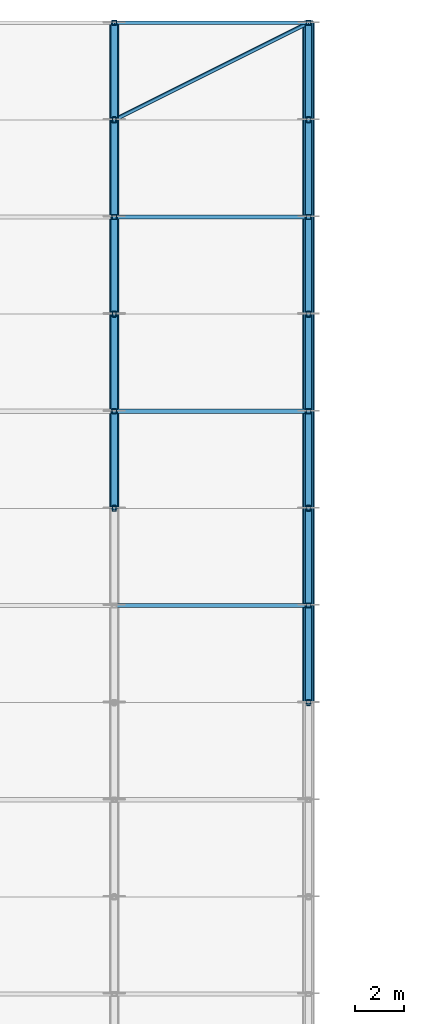
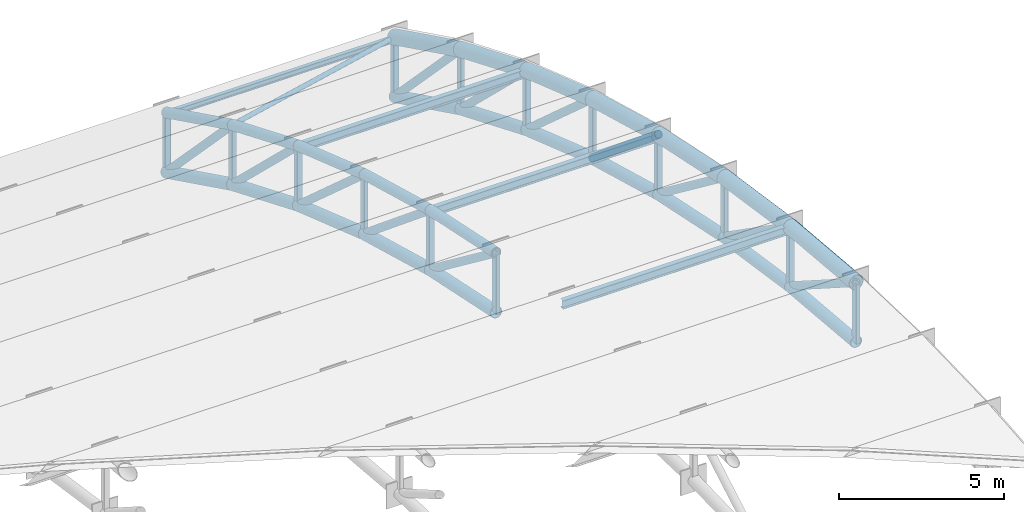
# One storey, part 55 of 98: 55 members.
"""IFC4 building model written with IfcOpenShell, lengths in metres."""

from ifc_helpers import new_model, si_unit, direction, frame, origin, origin_2d, place, context, subcontext, project, spatial, hollow_rectangle, hollow_circle, i_section, extrude, material, material_profile, profile_set, type_object, element, save


model = new_model("IFC4")

# Units and contexts
model_context = context("Model", 3, precision=1e-05, world=origin(), true_north=direction((0.0, 1.0)))
body_context = subcontext(model_context, "Body", "Model", "MODEL_VIEW")
ifc_project = project(units=[si_unit("LENGTHUNIT", "METRE"), si_unit("AREAUNIT", "SQUARE_METRE"), si_unit("VOLUMEUNIT", "CUBIC_METRE"), si_unit("PLANEANGLEUNIT", "RADIAN"), si_unit("MASSUNIT", "GRAM", prefix="KILO")], contexts=[model_context])

# Site, building, storey
site_placement = place(None, origin())
site = spatial("IfcSite", under=ifc_project, at=site_placement, CompositionType="ELEMENT")
building_placement = place(site_placement, origin())
building = spatial("IfcBuilding", under=site, at=building_placement, Name="Tlacozan Convention Centre", CompositionType="ELEMENT")
storey_placement = place(building_placement, frame((0.0, 0.0, 25.800048828125)))
storey = spatial("IfcBuildingStorey", under=building, at=storey_placement, Name="Roof", CompositionType="ELEMENT", Elevation=25.800048828125)

# Members
ifc_material_1 = material(Name="Steel ASTM A500 Grade C", Category="steel")
ifc_material_profile_1 = material_profile(ifc_material_1, hollow_circle(Radius=0.203125, WallThickness=0.015869140625, at=origin_2d()), Name="OC 406.4x15.9")
ifc_profile_set_1 = profile_set([ifc_material_profile_1], Name="Steel ASTM A500 Grade C")
member_type_1 = type_object("IfcMemberType", Name="Arch Bottom Chord OC 406.4x15.9", PredefinedType="CHORD", material=ifc_profile_set_1)
member_1_placement = place(storey_placement, frame((160.0, 106.0, -5.8671875), z_axis=(0.0, 0.978552953366, -0.205995430674), x_axis=(-1.0, 0.0, 0.0)))
element("IfcMember", 1, at=member_1_placement, inside=storey, type_object=member_type_1, Name="V2A Roof Truss 21 Bottom Chord 12", PredefinedType="CHORD", context=body_context, shape_type="SweptSolid", body=[
    extrude(hollow_circle(Radius=0.203125, WallThickness=0.015869140625, at=origin_2d()), origin(), (0.0, 0.0, 1.0), 4.087646484375),
])
member_2_placement = place(storey_placement, frame((160.0, 110.0, -6.709228515625), z_axis=(0.0, 0.964289609145, -0.26485005134), x_axis=(-1.0, 0.0, 0.0)))
element("IfcMember", 2, at=member_2_placement, inside=storey, type_object=member_type_1, Name="V2A Roof Truss 21 Bottom Chord 13", PredefinedType="CHORD", context=body_context, shape_type="SweptSolid", body=[
    extrude(hollow_circle(Radius=0.203125, WallThickness=0.015869140625, at=origin_2d()), origin(), (0.0, 0.0, 1.0), 4.148193359375),
])
member_3_placement = place(storey_placement, frame((160.0, 114.0, -7.807861328125), z_axis=(0.0, 0.946164915813, -0.323684958077), x_axis=(-1.0, 0.0, 0.0)))
element("IfcMember", 3, at=member_3_placement, inside=storey, type_object=member_type_1, Name="V2A Roof Truss 21 Bottom Chord 14", PredefinedType="CHORD", context=body_context, shape_type="SweptSolid", body=[
    extrude(hollow_circle(Radius=0.203125, WallThickness=0.015869140625, at=origin_2d()), origin(), (0.0, 0.0, 1.0), 4.2275390625),
])
member_4_placement = place(storey_placement, frame((160.0, 118.0, -9.17626953125), z_axis=(0.0, 0.923948802258, -0.382516157575), x_axis=(-1.0, 0.0, 0.0)))
element("IfcMember", 4, at=member_4_placement, inside=storey, type_object=member_type_1, Name="V2A Roof Truss 21 Bottom Chord 15", PredefinedType="CHORD", context=body_context, shape_type="SweptSolid", body=[
    extrude(hollow_circle(Radius=0.203125, WallThickness=0.015869140625, at=origin_2d()), origin(), (0.0, 0.0, 1.0), 4.329345703125),
])
member_5_placement = place(storey_placement, frame((160.0, 122.0, -10.832275390625), z_axis=(0.0, 0.897300183135, -0.441420866459), x_axis=(-1.0, 0.0, 0.0)))
element("IfcMember", 5, at=member_5_placement, inside=storey, type_object=member_type_1, Name="V2A Roof Truss 21 Bottom Chord 16", PredefinedType="CHORD", context=body_context, shape_type="SweptSolid", body=[
    extrude(hollow_circle(Radius=0.203125, WallThickness=0.015869140625, at=origin_2d()), origin(), (0.0, 0.0, 1.0), 4.457763671875),
])
member_6_placement = place(storey_placement, frame((168.0, 98.0, -4.917724609375), z_axis=(0.0, 0.996095959668, -0.088277058926), x_axis=(-1.0, 0.0, 0.0)))
element("IfcMember", 6, at=member_6_placement, inside=storey, type_object=member_type_1, Name="V2A Roof Truss 22 Bottom Chord 10", PredefinedType="CHORD", context=body_context, shape_type="SweptSolid", body=[
    extrude(hollow_circle(Radius=0.203125, WallThickness=0.015869140625, at=origin_2d()), origin(), (0.0, 0.0, 1.0), 4.015625),
])
member_7_placement = place(storey_placement, frame((168.0, 102.0, -5.272216796875), z_axis=(0.0, 0.98911804631, -0.147124064872), x_axis=(-1.0, 0.0, 0.0)))
element("IfcMember", 7, at=member_7_placement, inside=storey, type_object=member_type_1, Name="V2A Roof Truss 22 Bottom Chord 11", PredefinedType="CHORD", context=body_context, shape_type="SweptSolid", body=[
    extrude(hollow_circle(Radius=0.203125, WallThickness=0.015869140625, at=origin_2d()), origin(), (0.0, 0.0, 1.0), 4.0439453125),
])
member_8_placement = place(storey_placement, frame((168.0, 106.0, -5.8671875), z_axis=(0.0, 0.978552953366, -0.205995430674), x_axis=(-1.0, 0.0, 0.0)))
element("IfcMember", 8, at=member_8_placement, inside=storey, type_object=member_type_1, Name="V2A Roof Truss 22 Bottom Chord 12", PredefinedType="CHORD", context=body_context, shape_type="SweptSolid", body=[
    extrude(hollow_circle(Radius=0.203125, WallThickness=0.015869140625, at=origin_2d()), origin(), (0.0, 0.0, 1.0), 4.087646484375),
])
member_9_placement = place(storey_placement, frame((168.0, 110.0, -6.709228515625), z_axis=(0.0, 0.964289609145, -0.26485005134), x_axis=(-1.0, 0.0, 0.0)))
element("IfcMember", 9, at=member_9_placement, inside=storey, type_object=member_type_1, Name="V2A Roof Truss 22 Bottom Chord 13", PredefinedType="CHORD", context=body_context, shape_type="SweptSolid", body=[
    extrude(hollow_circle(Radius=0.203125, WallThickness=0.015869140625, at=origin_2d()), origin(), (0.0, 0.0, 1.0), 4.148193359375),
])
member_10_placement = place(storey_placement, frame((168.0, 114.0, -7.807861328125), z_axis=(0.0, 0.946164915813, -0.323684958077), x_axis=(-1.0, 0.0, 0.0)))
element("IfcMember", 10, at=member_10_placement, inside=storey, type_object=member_type_1, Name="V2A Roof Truss 22 Bottom Chord 14", PredefinedType="CHORD", context=body_context, shape_type="SweptSolid", body=[
    extrude(hollow_circle(Radius=0.203125, WallThickness=0.015869140625, at=origin_2d()), origin(), (0.0, 0.0, 1.0), 4.2275390625),
])
member_11_placement = place(storey_placement, frame((168.0, 118.0, -9.17626953125), z_axis=(0.0, 0.923948802258, -0.382516157575), x_axis=(-1.0, 0.0, 0.0)))
element("IfcMember", 11, at=member_11_placement, inside=storey, type_object=member_type_1, Name="V2A Roof Truss 22 Bottom Chord 15", PredefinedType="CHORD", context=body_context, shape_type="SweptSolid", body=[
    extrude(hollow_circle(Radius=0.203125, WallThickness=0.015869140625, at=origin_2d()), origin(), (0.0, 0.0, 1.0), 4.329345703125),
])
member_12_placement = place(storey_placement, frame((168.0, 122.0, -10.832275390625), z_axis=(0.0, 0.897300183135, -0.441420866459), x_axis=(-1.0, 0.0, 0.0)))
element("IfcMember", 12, at=member_12_placement, inside=storey, type_object=member_type_1, Name="V2A Roof Truss 22 Bottom Chord 16", PredefinedType="CHORD", context=body_context, shape_type="SweptSolid", body=[
    extrude(hollow_circle(Radius=0.203125, WallThickness=0.015869140625, at=origin_2d()), origin(), (0.0, 0.0, 1.0), 4.457763671875),
])
ifc_material_profile_2 = material_profile(ifc_material_1, hollow_circle(Radius=0.25390625, WallThickness=0.01904296875, at=origin_2d()), Name="OC 508.0x19.1")
ifc_profile_set_2 = profile_set([ifc_material_profile_2], Name="Steel ASTM A500 Grade C")
member_type_2 = type_object("IfcMemberType", Name="Arch Top Chord OC 508x19.1", PredefinedType="CHORD", material=ifc_profile_set_2)
member_13_placement = place(storey_placement, frame((168.0, 98.0, -2.7177734375), z_axis=(0.0, 0.996095959668, -0.088277058926), x_axis=(-1.0, 0.0, 0.0)))
element("IfcMember", 13, at=member_13_placement, inside=storey, type_object=member_type_2, Name="V2A Roof Truss 22 Top Chord 10", PredefinedType="CHORD", context=body_context, shape_type="SweptSolid", body=[
    extrude(hollow_circle(Radius=0.25390625, WallThickness=0.01904296875, at=origin_2d()), origin(), (0.0, 0.0, 1.0), 4.015625),
])
member_14_placement = place(storey_placement, frame((168.0, 102.0, -3.072265625), z_axis=(0.0, 0.98911804631, -0.147124064872), x_axis=(-1.0, 0.0, 0.0)))
element("IfcMember", 14, at=member_14_placement, inside=storey, type_object=member_type_2, Name="V2A Roof Truss 22 Top Chord 11", PredefinedType="CHORD", context=body_context, shape_type="SweptSolid", body=[
    extrude(hollow_circle(Radius=0.25390625, WallThickness=0.01904296875, at=origin_2d()), origin(), (0.0, 0.0, 1.0), 4.0439453125),
])
member_15_placement = place(storey_placement, frame((168.0, 106.0, -3.667236328125), z_axis=(0.0, 0.978552953366, -0.205995430674), x_axis=(-1.0, 0.0, 0.0)))
element("IfcMember", 15, at=member_15_placement, inside=storey, type_object=member_type_2, Name="V2A Roof Truss 22 Top Chord 12", PredefinedType="CHORD", context=body_context, shape_type="SweptSolid", body=[
    extrude(hollow_circle(Radius=0.25390625, WallThickness=0.01904296875, at=origin_2d()), origin(), (0.0, 0.0, 1.0), 4.087646484375),
])
member_16_placement = place(storey_placement, frame((168.0, 110.0, -4.50927734375), z_axis=(0.0, 0.964304639076, -0.264795322949), x_axis=(-1.0, 0.0, 0.0)))
element("IfcMember", 16, at=member_16_placement, inside=storey, type_object=member_type_2, Name="V2A Roof Truss 22 Top Chord 13", PredefinedType="CHORD", context=body_context, shape_type="SweptSolid", body=[
    extrude(hollow_circle(Radius=0.25390625, WallThickness=0.01904296875, at=origin_2d()), origin(), (0.0, 0.0, 1.0), 4.14794921875),
])
member_17_placement = place(storey_placement, frame((168.0, 114.0, -5.607666015625), z_axis=(0.0, 0.946164915813, -0.323684958077), x_axis=(-1.0, 0.0, 0.0)))
element("IfcMember", 17, at=member_17_placement, inside=storey, type_object=member_type_2, Name="V2A Roof Truss 22 Top Chord 14", PredefinedType="CHORD", context=body_context, shape_type="SweptSolid", body=[
    extrude(hollow_circle(Radius=0.25390625, WallThickness=0.01904296875, at=origin_2d()), origin(), (0.0, 0.0, 1.0), 4.2275390625),
])
member_18_placement = place(storey_placement, frame((168.0, 118.0, -6.97607421875), z_axis=(0.0, 0.923928870591, -0.382564297979), x_axis=(-1.0, 0.0, 0.0)))
element("IfcMember", 18, at=member_18_placement, inside=storey, type_object=member_type_2, Name="V2A Roof Truss 22 Top Chord 15", PredefinedType="CHORD", context=body_context, shape_type="SweptSolid", body=[
    extrude(hollow_circle(Radius=0.25390625, WallThickness=0.01904296875, at=origin_2d()), origin(), (0.0, 0.0, 1.0), 4.329345703125),
])
member_19_placement = place(storey_placement, frame((168.0, 122.0, -8.63232421875), z_axis=(0.0, 0.897300183135, -0.441420866459), x_axis=(-1.0, 0.0, 0.0)))
element("IfcMember", 19, at=member_19_placement, inside=storey, type_object=member_type_2, Name="V2A Roof Truss 22 Top Chord 16", PredefinedType="CHORD", context=body_context, shape_type="SweptSolid", body=[
    extrude(hollow_circle(Radius=0.25390625, WallThickness=0.01904296875, at=origin_2d()), origin(), (0.0, 0.0, 1.0), 4.457763671875),
])
ifc_material_profile_3 = material_profile(ifc_material_1, hollow_circle(Radius=0.136474609375, WallThickness=0.0126953125, at=origin_2d()), Name="OC 273.1x12.7")
ifc_profile_set_3 = profile_set([ifc_material_profile_3], Name="Steel ASTM A500 Grade C")
member_type_3 = type_object("IfcMemberType", Name="Arch Web Diagonal OC 273.1x12.7", PredefinedType="BRACE", material=ifc_profile_set_3)
member_20_placement = place(storey_placement, frame((160.0, 106.0, -3.667236328125), z_axis=(0.0, 0.795971176065, -0.605334524766), x_axis=(-1.0, 0.0, 0.0)))
element("IfcMember", 20, at=member_20_placement, inside=storey, type_object=member_type_3, Name="V2A Roof Truss 21 Web Diagonal 12", PredefinedType="BRACE", context=body_context, shape_type="SweptSolid", body=[
    extrude(hollow_circle(Radius=0.136474609375, WallThickness=0.0126953125, at=origin_2d()), origin(), (0.0, 0.0, 1.0), 5.025390625),
])
member_21_placement = place(storey_placement, frame((160.0, 110.0, -4.50927734375), z_axis=(0.0, 0.771507331308, -0.63622043172), x_axis=(-1.0, 0.0, 0.0)))
element("IfcMember", 21, at=member_21_placement, inside=storey, type_object=member_type_3, Name="V2A Roof Truss 21 Web Diagonal 13", PredefinedType="BRACE", context=body_context, shape_type="SweptSolid", body=[
    extrude(hollow_circle(Radius=0.136474609375, WallThickness=0.0126953125, at=origin_2d()), origin(), (0.0, 0.0, 1.0), 5.1845703125),
])
member_22_placement = place(storey_placement, frame((160.0, 114.0, -5.607666015625), z_axis=(0.0, 0.746199427712, -0.665722475272), x_axis=(-1.0, 0.0, 0.0)))
element("IfcMember", 22, at=member_22_placement, inside=storey, type_object=member_type_3, Name="V2A Roof Truss 21 Web Diagonal 14", PredefinedType="BRACE", context=body_context, shape_type="SweptSolid", body=[
    extrude(hollow_circle(Radius=0.136474609375, WallThickness=0.0126953125, at=origin_2d()), origin(), (0.0, 0.0, 1.0), 5.360595703125),
])
member_23_placement = place(storey_placement, frame((160.0, 118.0, -6.97607421875), z_axis=(0.0, 0.719928977367, -0.694047741547), x_axis=(-1.0, 0.0, 0.0)))
element("IfcMember", 23, at=member_23_placement, inside=storey, type_object=member_type_3, Name="V2A Roof Truss 21 Web Diagonal 15", PredefinedType="BRACE", context=body_context, shape_type="SweptSolid", body=[
    extrude(hollow_circle(Radius=0.136474609375, WallThickness=0.0126953125, at=origin_2d()), origin(), (0.0, 0.0, 1.0), 5.55615234375),
])
member_24_placement = place(storey_placement, frame((160.0, 122.0, -8.63232421875), z_axis=(0.0, 0.69244032859, -0.721475149497), x_axis=(-1.0, 0.0, 0.0)))
element("IfcMember", 24, at=member_24_placement, inside=storey, type_object=member_type_3, Name="V2A Roof Truss 21 Web Diagonal 16", PredefinedType="BRACE", context=body_context, shape_type="SweptSolid", body=[
    extrude(hollow_circle(Radius=0.136474609375, WallThickness=0.0126953125, at=origin_2d()), origin(), (0.0, 0.0, 1.0), 5.776611328125),
])
member_25_placement = place(storey_placement, frame((168.0, 98.0, -2.7177734375), z_axis=(0.0, 0.842802563321, -0.538222852785), x_axis=(-1.0, 0.0, 0.0)))
element("IfcMember", 25, at=member_25_placement, inside=storey, type_object=member_type_3, Name="V2A Roof Truss 22 Web Diagonal 10", PredefinedType="BRACE", context=body_context, shape_type="SweptSolid", body=[
    extrude(hollow_circle(Radius=0.136474609375, WallThickness=0.0126953125, at=origin_2d()), origin(), (0.0, 0.0, 1.0), 4.74609375),
])
member_26_placement = place(storey_placement, frame((168.0, 102.0, -3.072265625), z_axis=(0.0, 0.819720523855, -0.572763705877), x_axis=(-1.0, 0.0, 0.0)))
element("IfcMember", 26, at=member_26_placement, inside=storey, type_object=member_type_3, Name="V2A Roof Truss 22 Web Diagonal 11", PredefinedType="BRACE", context=body_context, shape_type="SweptSolid", body=[
    extrude(hollow_circle(Radius=0.136474609375, WallThickness=0.0126953125, at=origin_2d()), origin(), (0.0, 0.0, 1.0), 4.879638671875),
])
member_27_placement = place(storey_placement, frame((168.0, 106.0, -3.667236328125), z_axis=(0.0, 0.795971176065, -0.605334524766), x_axis=(-1.0, 0.0, 0.0)))
element("IfcMember", 27, at=member_27_placement, inside=storey, type_object=member_type_3, Name="V2A Roof Truss 22 Web Diagonal 12", PredefinedType="BRACE", context=body_context, shape_type="SweptSolid", body=[
    extrude(hollow_circle(Radius=0.136474609375, WallThickness=0.0126953125, at=origin_2d()), origin(), (0.0, 0.0, 1.0), 5.025390625),
])
member_28_placement = place(storey_placement, frame((168.0, 110.0, -4.50927734375), z_axis=(0.0, 0.771507331308, -0.63622043172), x_axis=(-1.0, 0.0, 0.0)))
element("IfcMember", 28, at=member_28_placement, inside=storey, type_object=member_type_3, Name="V2A Roof Truss 22 Web Diagonal 13", PredefinedType="BRACE", context=body_context, shape_type="SweptSolid", body=[
    extrude(hollow_circle(Radius=0.136474609375, WallThickness=0.0126953125, at=origin_2d()), origin(), (0.0, 0.0, 1.0), 5.1845703125),
])
member_29_placement = place(storey_placement, frame((168.0, 114.0, -5.607666015625), z_axis=(0.0, 0.746199427712, -0.665722475272), x_axis=(-1.0, 0.0, 0.0)))
element("IfcMember", 29, at=member_29_placement, inside=storey, type_object=member_type_3, Name="V2A Roof Truss 22 Web Diagonal 14", PredefinedType="BRACE", context=body_context, shape_type="SweptSolid", body=[
    extrude(hollow_circle(Radius=0.136474609375, WallThickness=0.0126953125, at=origin_2d()), origin(), (0.0, 0.0, 1.0), 5.360595703125),
])
member_30_placement = place(storey_placement, frame((168.0, 118.0, -6.97607421875), z_axis=(0.0, 0.719928977367, -0.694047741547), x_axis=(-1.0, 0.0, 0.0)))
element("IfcMember", 30, at=member_30_placement, inside=storey, type_object=member_type_3, Name="V2A Roof Truss 22 Web Diagonal 15", PredefinedType="BRACE", context=body_context, shape_type="SweptSolid", body=[
    extrude(hollow_circle(Radius=0.136474609375, WallThickness=0.0126953125, at=origin_2d()), origin(), (0.0, 0.0, 1.0), 5.55615234375),
])
member_31_placement = place(storey_placement, frame((168.0, 122.0, -8.63232421875), z_axis=(0.0, 0.69244032859, -0.721475149497), x_axis=(-1.0, 0.0, 0.0)))
element("IfcMember", 31, at=member_31_placement, inside=storey, type_object=member_type_3, Name="V2A Roof Truss 22 Web Diagonal 16", PredefinedType="BRACE", context=body_context, shape_type="SweptSolid", body=[
    extrude(hollow_circle(Radius=0.136474609375, WallThickness=0.0126953125, at=origin_2d()), origin(), (0.0, 0.0, 1.0), 5.776611328125),
])
ifc_material_profile_4 = material_profile(ifc_material_1, hollow_rectangle(XDim=0.203125, YDim=0.203125, WallThickness=0.0126953125, InnerFilletRadius=0.0126953125, OuterFilletRadius=0.02490234375, at=origin_2d()), Name="OR 203x203x12.7")
ifc_profile_set_4 = profile_set([ifc_material_profile_4], Name="Steel ASTM A500 Grade C")
member_type_4 = type_object("IfcMemberType", Name="Arch Web Strut OR 203x203x12.7", PredefinedType="STRUT", material=ifc_profile_set_4)
member_32_placement = place(storey_placement, frame((160.0, 110.0, -6.709228515625), z_axis=(0.0, 0.0, 1.0), x_axis=(1.0, 0.0, 0.0)))
element("IfcMember", 32, at=member_32_placement, inside=storey, type_object=member_type_4, Name="V2A Roof Truss 21 Vertical Strut 13", PredefinedType="STRUT", context=body_context, shape_type="SweptSolid", body=[
    extrude(hollow_rectangle(XDim=0.203125, YDim=0.203125, WallThickness=0.0126953125, InnerFilletRadius=0.0126953125, OuterFilletRadius=0.02490234375, at=origin_2d()), origin(), (0.0, 0.0, 1.0), 2.199951171875),
])
member_33_placement = place(storey_placement, frame((160.0, 118.0, -9.17626953125), z_axis=(0.0, 0.0, 1.0), x_axis=(1.0, 0.0, 0.0)))
element("IfcMember", 33, at=member_33_placement, inside=storey, type_object=member_type_4, Name="V2A Roof Truss 21 Vertical Strut 15", PredefinedType="STRUT", context=body_context, shape_type="SweptSolid", body=[
    extrude(hollow_rectangle(XDim=0.203125, YDim=0.203125, WallThickness=0.0126953125, InnerFilletRadius=0.0126953125, OuterFilletRadius=0.02490234375, at=origin_2d()), origin(), (0.0, 0.0, 1.0), 2.2001953125),
])
for number, where, z_axis, x_axis, name in (
    (34, (160.0, 126.0, -12.800048828125), (0.0, 0.0, 1.0), (1.0, 0.0, 0.0), "V2A Roof Truss 21 Vertical Strut 17"),
    (35, (168.0, 102.0, -5.272216796875), (0.0, 0.0, 1.0), (1.0, 0.0, 0.0), "V2A Roof Truss 22 Vertical Strut 11"),
    (36, (168.0, 110.0, -6.709228515625), (0.0, 0.0, 1.0), (1.0, 0.0, 0.0), "V2A Roof Truss 22 Vertical Strut 13"),
):
    element("IfcMember", number, at=place(storey_placement, frame(where, z_axis=z_axis, x_axis=x_axis)), inside=storey, type_object=member_type_4, Name=name, PredefinedType="STRUT", context=body_context, shape_type="SweptSolid", body=[
        extrude(hollow_rectangle(XDim=0.203125, YDim=0.203125, WallThickness=0.0126953125, InnerFilletRadius=0.0126953125, OuterFilletRadius=0.02490234375, at=origin_2d()), origin(), (0.0, 0.0, 1.0), 2.199951171875),
    ])
member_34_placement = place(storey_placement, frame((168.0, 118.0, -9.17626953125), z_axis=(0.0, 0.0, 1.0), x_axis=(1.0, 0.0, 0.0)))
element("IfcMember", 37, at=member_34_placement, inside=storey, type_object=member_type_4, Name="V2A Roof Truss 22 Vertical Strut 15", PredefinedType="STRUT", context=body_context, shape_type="SweptSolid", body=[
    extrude(hollow_rectangle(XDim=0.203125, YDim=0.203125, WallThickness=0.0126953125, InnerFilletRadius=0.0126953125, OuterFilletRadius=0.02490234375, at=origin_2d()), origin(), (0.0, 0.0, 1.0), 2.2001953125),
])
member_35_placement = place(storey_placement, frame((168.0, 126.0, -12.800048828125), z_axis=(0.0, 0.0, 1.0), x_axis=(1.0, 0.0, 0.0)))
element("IfcMember", 38, at=member_35_placement, inside=storey, type_object=member_type_4, Name="V2A Roof Truss 22 Vertical Strut 17", PredefinedType="STRUT", context=body_context, shape_type="SweptSolid", body=[
    extrude(hollow_rectangle(XDim=0.203125, YDim=0.203125, WallThickness=0.0126953125, InnerFilletRadius=0.0126953125, OuterFilletRadius=0.02490234375, at=origin_2d()), origin(), (0.0, 0.0, 1.0), 2.199951171875),
])
ifc_material_profile_5 = material_profile(ifc_material_1, hollow_circle(Radius=0.084228515625, WallThickness=0.007080078125, at=origin_2d()), Name="OC 168.3x7.1")
ifc_profile_set_5 = profile_set([ifc_material_profile_5], Name="Steel ASTM A500 Grade C")
member_type_5 = type_object("IfcMemberType", Name="Canopy Tie Brace OC 168.3x7.1", PredefinedType="BRACE", material=ifc_profile_set_5)
member_36_placement = place(storey_placement, frame((160.0, 122.0, -8.63232421875), z_axis=(0.873536677994, 0.436768338997, -0.214865283955), x_axis=(-0.4472135955, 0.894427191, 0.0)))
element("IfcMember", 39, at=member_36_placement, inside=storey, type_object=member_type_5, Name="V2A Roof Truss Plan Brace 21.16", PredefinedType="BRACE", context=body_context, shape_type="SweptSolid", body=[
    extrude(hollow_circle(Radius=0.084228515625, WallThickness=0.007080078125, at=origin_2d()), origin(), (0.0, 0.0, 1.0), 9.158203125),
])
ifc_material_2 = material(Name="Steel ASTM A992 Grade 50", Category="steel")
ifc_material_profile_6 = material_profile(ifc_material_2, i_section(OverallWidth=0.1669921875, OverallDepth=0.31689453125, WebThickness=0.007568359375, FlangeThickness=0.01318359375, FilletRadius=0.010009765625, at=origin_2d()), Name="IR 305x52.2")
ifc_profile_set_6 = profile_set([ifc_material_profile_6], Name="Steel ASTM A992 Grade 50")
member_type_6 = type_object("IfcMemberType", Name="Roof Purlin IR 305x52.2", PredefinedType="PURLIN", material=ifc_profile_set_6)
for number, where, z_axis, x_axis, name in (
    (40, (160.0, 102.0, -3.13720703125), (1.0, 0.0, 0.0), (0.0, 1.0, 0.0), "V2A Roof Truss Purlin 21.11"),
    (41, (160.0, 110.0, -4.57421875), (1.0, 0.0, 0.0), (0.0, 1.0, 0.0), "V2A Roof Truss Purlin 21.13"),
    (42, (160.0, 118.0, -7.041259765625), (1.0, 0.0, 0.0), (0.0, 1.0, 0.0), "V2A Roof Truss Purlin 21.15"),
):
    element("IfcMember", number, at=place(storey_placement, frame(where, z_axis=z_axis, x_axis=x_axis)), inside=storey, type_object=member_type_6, Name=name, PredefinedType="PURLIN", context=body_context, shape_type="SweptSolid", body=[
        extrude(i_section(OverallWidth=0.1669921875, OverallDepth=0.31689453125, WebThickness=0.007568359375, FlangeThickness=0.01318359375, FilletRadius=0.010009765625, at=origin_2d()), origin(), (0.0, 0.0, 1.0), 8.0),
    ])
ifc_material_profile_7 = material_profile(ifc_material_1, hollow_circle(Radius=0.177734375, WallThickness=0.015869140625, at=origin_2d()), Name="OC 355.6x15.9")
ifc_profile_set_7 = profile_set([ifc_material_profile_7], Name="Steel ASTM A500 Grade C")
member_type_7 = type_object("IfcMemberType", Name="Secondary Arch Chord OC 355.6x15.9", PredefinedType="CHORD", material=ifc_profile_set_7)
member_37_placement = place(storey_placement, frame((160.0, 106.0, -3.667236328125), z_axis=(0.0, 0.978552953366, -0.205995430674), x_axis=(-1.0, 0.0, 0.0)))
element("IfcMember", 43, at=member_37_placement, inside=storey, type_object=member_type_7, Name="V2A Roof Truss 21 Top Chord 12", PredefinedType="CHORD", context=body_context, shape_type="SweptSolid", body=[
    extrude(hollow_circle(Radius=0.177734375, WallThickness=0.015869140625, at=origin_2d()), origin(), (0.0, 0.0, 1.0), 4.087646484375),
])
member_38_placement = place(storey_placement, frame((160.0, 110.0, -4.50927734375), z_axis=(0.0, 0.964304639076, -0.264795322949), x_axis=(-1.0, 0.0, 0.0)))
element("IfcMember", 44, at=member_38_placement, inside=storey, type_object=member_type_7, Name="V2A Roof Truss 21 Top Chord 13", PredefinedType="CHORD", context=body_context, shape_type="SweptSolid", body=[
    extrude(hollow_circle(Radius=0.177734375, WallThickness=0.015869140625, at=origin_2d()), origin(), (0.0, 0.0, 1.0), 4.14794921875),
])
member_39_placement = place(storey_placement, frame((160.0, 114.0, -5.607666015625), z_axis=(0.0, 0.946164915813, -0.323684958077), x_axis=(-1.0, 0.0, 0.0)))
element("IfcMember", 45, at=member_39_placement, inside=storey, type_object=member_type_7, Name="V2A Roof Truss 21 Top Chord 14", PredefinedType="CHORD", context=body_context, shape_type="SweptSolid", body=[
    extrude(hollow_circle(Radius=0.177734375, WallThickness=0.015869140625, at=origin_2d()), origin(), (0.0, 0.0, 1.0), 4.2275390625),
])
member_40_placement = place(storey_placement, frame((160.0, 118.0, -6.97607421875), z_axis=(0.0, 0.923928870591, -0.382564297979), x_axis=(-1.0, 0.0, 0.0)))
element("IfcMember", 46, at=member_40_placement, inside=storey, type_object=member_type_7, Name="V2A Roof Truss 21 Top Chord 15", PredefinedType="CHORD", context=body_context, shape_type="SweptSolid", body=[
    extrude(hollow_circle(Radius=0.177734375, WallThickness=0.015869140625, at=origin_2d()), origin(), (0.0, 0.0, 1.0), 4.329345703125),
])
member_41_placement = place(storey_placement, frame((160.0, 122.0, -8.63232421875), z_axis=(0.0, 0.897300183135, -0.441420866459), x_axis=(-1.0, 0.0, 0.0)))
element("IfcMember", 47, at=member_41_placement, inside=storey, type_object=member_type_7, Name="V2A Roof Truss 21 Top Chord 16", PredefinedType="CHORD", context=body_context, shape_type="SweptSolid", body=[
    extrude(hollow_circle(Radius=0.177734375, WallThickness=0.015869140625, at=origin_2d()), origin(), (0.0, 0.0, 1.0), 4.457763671875),
])
ifc_material_profile_8 = material_profile(ifc_material_2, i_section(OverallWidth=0.134033203125, OverallDepth=0.2099609375, WebThickness=0.00634765625, FlangeThickness=0.01025390625, FilletRadius=0.008056640625, at=origin_2d()), Name="IR 203x31.3")
ifc_profile_set_8 = profile_set([ifc_material_profile_8], Name="Steel ASTM A992 Grade 50")
member_type_8 = type_object("IfcMemberType", Name="Secondary Eave Purlin IR 203x31.3", PredefinedType="PURLIN", material=ifc_profile_set_8)
member_42_placement = place(storey_placement, frame((160.0, 126.0, -10.6650390625), z_axis=(1.0, 0.0, 0.0), x_axis=(0.0, 1.0, 0.0)))
element("IfcMember", 48, at=member_42_placement, inside=storey, type_object=member_type_8, Name="V2A Roof Truss Purlin 21.17", PredefinedType="PURLIN", context=body_context, shape_type="SweptSolid", body=[
    extrude(i_section(OverallWidth=0.134033203125, OverallDepth=0.2099609375, WebThickness=0.00634765625, FlangeThickness=0.01025390625, FilletRadius=0.008056640625, at=origin_2d()), origin(), (0.0, 0.0, 1.0), 8.0),
])
ifc_material_profile_9 = material_profile(ifc_material_1, hollow_rectangle(XDim=0.15234375, YDim=0.25390625, WallThickness=0.0126953125, InnerFilletRadius=0.0126953125, OuterFilletRadius=0.02490234375, at=origin_2d()), Name="OR 254x152x12.7")
ifc_profile_set_9 = profile_set([ifc_material_profile_9], Name="Steel ASTM A500 Grade C")
member_type_9 = type_object("IfcMemberType", Name="Truss Secondary Strut OR 254x152x12.7", PredefinedType="STRUT", material=ifc_profile_set_9)
member_43_placement = place(storey_placement, frame((160.0, 106.0, -5.8671875), z_axis=(0.0, 0.0, 1.0), x_axis=(1.0, 0.0, 0.0)))
element("IfcMember", 49, at=member_43_placement, inside=storey, type_object=member_type_9, Name="V2A Roof Truss 21 Vertical Strut 12", PredefinedType="STRUT", context=body_context, shape_type="SweptSolid", body=[
    extrude(hollow_rectangle(XDim=0.15234375, YDim=0.25390625, WallThickness=0.0126953125, InnerFilletRadius=0.0126953125, OuterFilletRadius=0.02490234375, at=origin_2d()), origin(), (0.0, 0.0, 1.0), 2.199951171875),
])
member_44_placement = place(storey_placement, frame((160.0, 114.0, -7.807861328125), z_axis=(0.0, 0.0, 1.0), x_axis=(1.0, 0.0, 0.0)))
element("IfcMember", 50, at=member_44_placement, inside=storey, type_object=member_type_9, Name="V2A Roof Truss 21 Vertical Strut 14", PredefinedType="STRUT", context=body_context, shape_type="SweptSolid", body=[
    extrude(hollow_rectangle(XDim=0.15234375, YDim=0.25390625, WallThickness=0.0126953125, InnerFilletRadius=0.0126953125, OuterFilletRadius=0.02490234375, at=origin_2d()), origin(), (0.0, 0.0, 1.0), 2.2001953125),
])
for number, where, z_axis, x_axis, name in (
    (51, (160.0, 122.0, -10.832275390625), (0.0, 0.0, 1.0), (1.0, 0.0, 0.0), "V2A Roof Truss 21 Vertical Strut 16"),
    (52, (168.0, 98.0, -4.917724609375), (0.0, 0.0, 1.0), (1.0, 0.0, 0.0), "V2A Roof Truss 22 Vertical Strut 10"),
    (53, (168.0, 106.0, -5.8671875), (0.0, 0.0, 1.0), (1.0, 0.0, 0.0), "V2A Roof Truss 22 Vertical Strut 12"),
):
    element("IfcMember", number, at=place(storey_placement, frame(where, z_axis=z_axis, x_axis=x_axis)), inside=storey, type_object=member_type_9, Name=name, PredefinedType="STRUT", context=body_context, shape_type="SweptSolid", body=[
        extrude(hollow_rectangle(XDim=0.15234375, YDim=0.25390625, WallThickness=0.0126953125, InnerFilletRadius=0.0126953125, OuterFilletRadius=0.02490234375, at=origin_2d()), origin(), (0.0, 0.0, 1.0), 2.199951171875),
    ])
member_45_placement = place(storey_placement, frame((168.0, 114.0, -7.807861328125), z_axis=(0.0, 0.0, 1.0), x_axis=(1.0, 0.0, 0.0)))
element("IfcMember", 54, at=member_45_placement, inside=storey, type_object=member_type_9, Name="V2A Roof Truss 22 Vertical Strut 14", PredefinedType="STRUT", context=body_context, shape_type="SweptSolid", body=[
    extrude(hollow_rectangle(XDim=0.15234375, YDim=0.25390625, WallThickness=0.0126953125, InnerFilletRadius=0.0126953125, OuterFilletRadius=0.02490234375, at=origin_2d()), origin(), (0.0, 0.0, 1.0), 2.2001953125),
])
member_46_placement = place(storey_placement, frame((168.0, 122.0, -10.832275390625), z_axis=(0.0, 0.0, 1.0), x_axis=(1.0, 0.0, 0.0)))
element("IfcMember", 55, at=member_46_placement, inside=storey, type_object=member_type_9, Name="V2A Roof Truss 22 Vertical Strut 16", PredefinedType="STRUT", context=body_context, shape_type="SweptSolid", body=[
    extrude(hollow_rectangle(XDim=0.15234375, YDim=0.25390625, WallThickness=0.0126953125, InnerFilletRadius=0.0126953125, OuterFilletRadius=0.02490234375, at=origin_2d()), origin(), (0.0, 0.0, 1.0), 2.199951171875),
])

save(model, "model.ifc")
